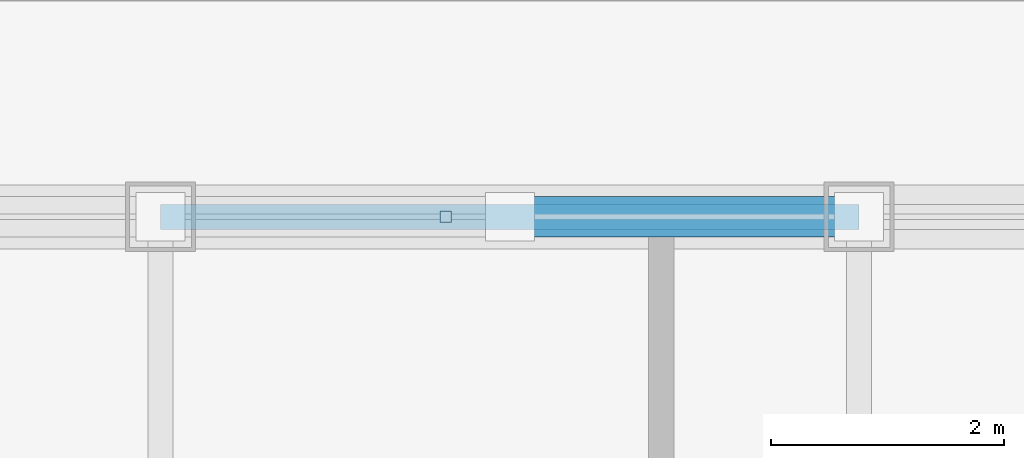
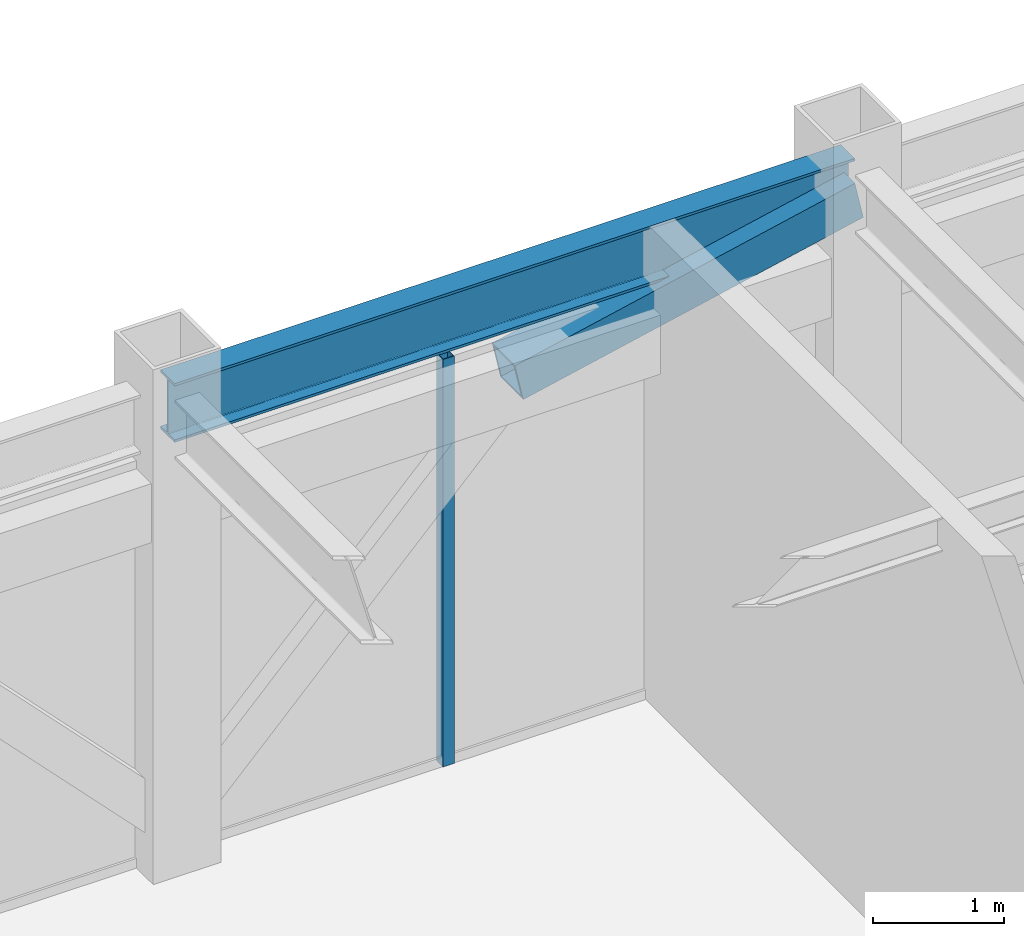
# One storey, part 18 of 32: 2 members, 1 beam, 1 element without a shape of its own.
"""IFC4 building model written with IfcOpenShell, lengths in metres."""

from ifc_helpers import new_model, si_unit, direction, frame, origin, origin_2d, place, context, subcontext, project, spatial, hollow_rectangle, i_section, extrude, source, transform, mapped, material, material_profile, profile_set, type_object, element, aggregate, save


model = new_model("IFC4")

# Units and contexts
model_context = context("Model", 3, precision=1e-05, world=origin(), true_north=direction((0.0, 1.0)))
body_context = subcontext(model_context, "Body", "Model", "MODEL_VIEW")
ifc_project = project(units=[si_unit("LENGTHUNIT", "METRE"), si_unit("AREAUNIT", "SQUARE_METRE"), si_unit("VOLUMEUNIT", "CUBIC_METRE"), si_unit("PLANEANGLEUNIT", "RADIAN"), si_unit("MASSUNIT", "GRAM", prefix="KILO")], contexts=[model_context])

# Site, building, storey
site_placement = place(None, origin())
site = spatial("IfcSite", under=ifc_project, at=site_placement, CompositionType="ELEMENT")
building_placement = place(site_placement, origin())
building = spatial("IfcBuilding", under=site, at=building_placement, Name="Khorayat Bourse Tower", CompositionType="ELEMENT")
storey_placement = place(building_placement, frame((0.0, 0.0, 375.5)))
storey = spatial("IfcBuildingStorey", under=building, at=storey_placement, Name="L89", CompositionType="ELEMENT", Elevation=375.5)

# Beam
ifc_material_1 = material(Name="Steel ASTM A992 Grade 50", Category="steel")
ifc_material_profile_1 = material_profile(ifc_material_1, i_section(OverallWidth=0.214111328125, OverallDepth=0.549072265625, WebThickness=0.0146484375, FlangeThickness=0.023681640625, FilletRadius=0.013916015625, at=origin_2d()), Name="W530X138")
ifc_profile_set_1 = profile_set([ifc_material_profile_1], Name="Steel ASTM A992 Grade 50")
beam_type = type_object("IfcBeamType", Name="BM-SPAN-530", PredefinedType="SPANDREL", material=ifc_profile_set_1)
shared_shape_1 = source(origin(), body_context, "Body", "SweptSolid", [
    extrude(i_section(OverallWidth=0.214111328125, OverallDepth=0.549072265625, WebThickness=0.0146484375, FlangeThickness=0.023681640625, FilletRadius=0.013916015625, at=origin_2d()), origin(), (0.0, 0.0, 1.0), 6.0),
])
beam_placement = place(storey_placement, frame((0.0, 24.0, 4.175537109375), z_axis=(1.0, 0.0, 0.0), x_axis=(0.0, 1.0, 0.0)))
element("IfcBeam", 1, at=beam_placement, inside=storey, type_object=beam_type, Name="L89 BM-SPAN-530 BM-L89-SPN-042", PredefinedType="SPANDREL", context=body_context, shape_type="MappedRepresentation", body=[
    mapped(shared_shape_1, transform((0.0, 0.0, 0.0), scale=1.0)),
])

# Member
ifc_material_2 = material(Name="Steel EN 10025-2 S355J2", Category="steel")
ifc_material_profile_2 = material_profile(ifc_material_2, hollow_rectangle(XDim=0.35009765625, YDim=0.35009765625, WallThickness=0.02001953125, at=origin_2d()), Name="HSS 350x350x20")
ifc_profile_set_2 = profile_set([ifc_material_profile_2], Name="Steel EN 10025-2 S355J2")
member_type_1 = type_object("IfcMemberType", Name="MBR-CROWN-350", PredefinedType="USERDEFINED", material=ifc_profile_set_2)
shared_shape_2 = source(origin(), body_context, "Body", "SweptSolid", [
    extrude(hollow_rectangle(XDim=0.35009765625, YDim=0.35009765625, WallThickness=0.02001953125, at=origin_2d()), origin(), (0.0, 0.0, 1.0), 3.069580078125),
])
member_1_placement = place(storey_placement, frame((3.0, 24.0, 3.449951171875), z_axis=(0.977313263163, 0.0, 0.211798927393), x_axis=(0.0, 1.0, 0.0)))
element("IfcMember", 2, at=member_1_placement, inside=storey, type_object=member_type_1, Name="L89 Lantern Crown Frame Member 10", ObjectType="CROWN FRAME", PredefinedType="USERDEFINED", context=body_context, shape_type="MappedRepresentation", body=[
    mapped(shared_shape_2, transform((0.0, 0.0, 0.0), scale=1.0)),
])

# Curtain wall, member
ifc_material_3 = material(Name="Aluminium EN AW-6063 T6", Category="aluminium")
curtain_wall_type = type_object("IfcCurtainWallType", Name="CW-SYS-07", PredefinedType="NOTDEFINED", material=ifc_material_3)
curtain_wall_placement = place(storey_placement, origin())
curtain_wall = element("IfcCurtainWall", 3, at=curtain_wall_placement, inside=storey, type_object=curtain_wall_type, Name="L89 Curtain Wall CW-L89-N2", PredefinedType="NOTDEFINED")
ifc_material_profile_3 = material_profile(ifc_material_3, hollow_rectangle(XDim=0.10009765625, YDim=0.10009765625, WallThickness=0.0048828125, at=origin_2d()), Name="ALU 100x100x5")
ifc_profile_set_3 = profile_set([ifc_material_profile_3], Name="Aluminium EN AW-6063 T6")
member_type_2 = type_object("IfcMemberType", Name="CWM-LANTERN-100", PredefinedType="MULLION", material=ifc_profile_set_3)
shared_shape_3 = source(origin(), body_context, "Body", "SweptSolid", [
    extrude(hollow_rectangle(XDim=0.10009765625, YDim=0.10009765625, WallThickness=0.0048828125, at=origin_2d()), origin(), (0.0, 0.0, 1.0), 3.800048828125),
])
member_2_placement = place(storey_placement, frame((2.449951171875, 24.0, 0.0), z_axis=(0.0, 0.0, 1.0), x_axis=(0.0, 1.0, 0.0)))
member_2 = element("IfcMember", 4, at=member_2_placement, type_object=member_type_2, Name="CW-L89-N2 Vertical Mullion 2", PredefinedType="MULLION", context=body_context, shape_type="MappedRepresentation", body=[
    mapped(shared_shape_3, transform((0.0, 0.0, 0.0), scale=1.0)),
])
aggregate(curtain_wall, [member_2])

save(model, "model.ifc")
